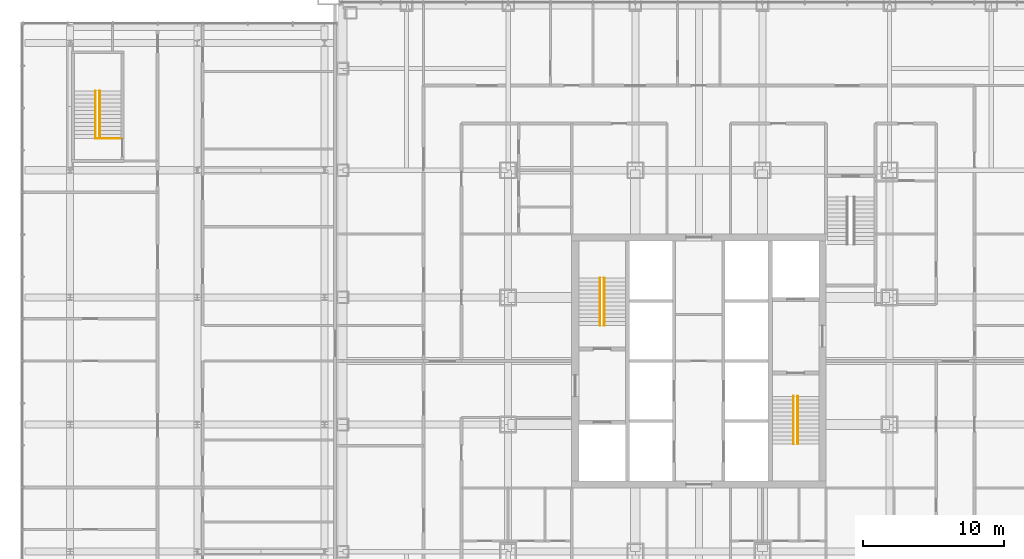
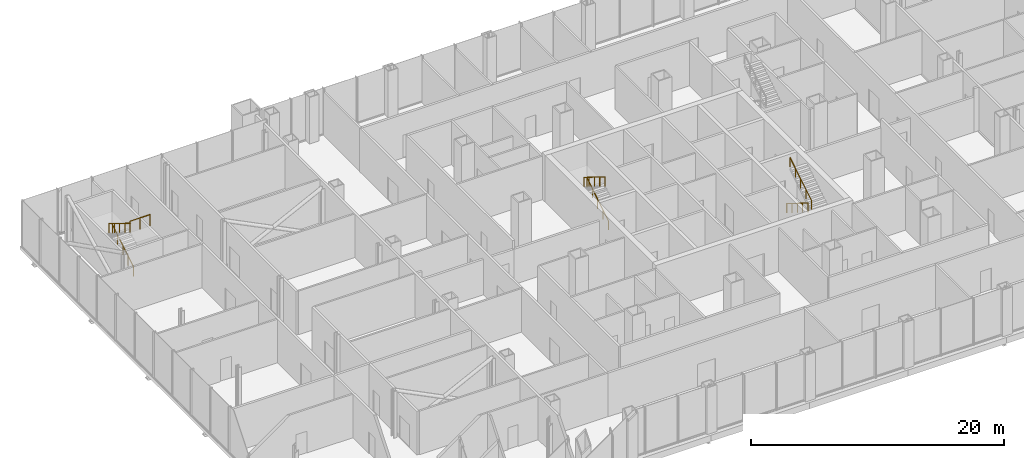
# One storey, part 22 of 25: 7 railings.
"""IFC4 building model written with IfcOpenShell, lengths in metres."""

from ifc_helpers import new_model, si_unit, direction, frame, origin, origin_2d, place, context, subcontext, project, spatial, circle, extrude, material, type_object, element, save


model = new_model("IFC4")

# Units and contexts
model_context = context("Model", 3, precision=1e-05, world=origin(), true_north=direction((0.0, 1.0)))
body_context = subcontext(model_context, "Body", "Model", "MODEL_VIEW")
ifc_project = project(units=[si_unit("LENGTHUNIT", "METRE"), si_unit("AREAUNIT", "SQUARE_METRE"), si_unit("VOLUMEUNIT", "CUBIC_METRE"), si_unit("PLANEANGLEUNIT", "RADIAN"), si_unit("MASSUNIT", "GRAM", prefix="KILO")], contexts=[model_context])

# Site, building, storey
site_placement = place(None, origin())
site = spatial("IfcSite", under=ifc_project, at=site_placement, CompositionType="ELEMENT")
building_placement = place(site_placement, origin())
building = spatial("IfcBuilding", under=site, at=building_placement, Name="Malebo Sky Hospital", CompositionType="ELEMENT")
storey_placement = place(building_placement, frame((0.0, 0.0, 16.5)))
storey = spatial("IfcBuildingStorey", under=building, at=storey_placement, Name="L03", CompositionType="ELEMENT", Elevation=16.5)

# Railings
ifc_material_1 = material(Name="Stainless steel balustrade", Category="steel")
railing_type_1 = type_object("IfcRailingType", Name="STAIR GUARD 1100", PredefinedType="GUARDRAIL", material=ifc_material_1)
railing_1_placement = place(storey_placement, frame((19.10009765625, 77.75, 4.5)))
element("IfcRailing", 1, at=railing_1_placement, inside=storey, type_object=railing_type_1, Name="Stair guard WS top landing", PredefinedType="GUARDRAIL", context=body_context, shape_type="SweptSolid", body=[
    extrude(circle(Radius=0.02392578125, at=origin_2d()), frame((0.0, 0.0, 1.076171875), z_axis=(-1.0, 0.0, 0.0), x_axis=(0.0, -1.0, 0.0)), (0.0, 0.0, 1.0), 1.800048828125),
    extrude(circle(Radius=0.02099609375, at=origin_2d()), origin(), (0.0, 0.0, 1.0), 1.052001953125),
    extrude(circle(Radius=0.02099609375, at=origin_2d()), frame((-0.89990234375, 0.0, 0.0)), (0.0, 0.0, 1.0), 1.052001953125),
    extrude(circle(Radius=0.02099609375, at=origin_2d()), frame((-1.800048828125, 0.0, 0.0)), (0.0, 0.0, 1.0), 1.052001953125),
])
ifc_material_2 = material(Name="Stainless steel tube", Category="steel")
railing_type_2 = type_object("IfcRailingType", Name="STAIR HANDRAIL 900", PredefinedType="HANDRAIL", material=ifc_material_2)
railing_2_placement = place(storey_placement, frame((53.300048828125, 64.5, 0.173095703125)))
element("IfcRailing", 2, at=railing_2_placement, inside=storey, type_object=railing_type_2, Name="Stair handrail S1 flight 1", PredefinedType="HANDRAIL", context=body_context, shape_type="SweptSolid", body=[
    extrude(circle(Radius=0.02392578125, at=origin_2d()), frame((0.0, 0.0, 0.8759765625), z_axis=(0.0, 0.850623216509, 0.525775754039), x_axis=(-1.0, 0.0, 0.0)), (0.0, 0.0, 1.0), 3.9501953125),
    extrude(circle(Radius=0.02099609375, at=origin_2d()), origin(), (0.0, 0.0, 1.0), 0.851806640625),
    extrude(circle(Radius=0.02099609375, at=origin_2d()), frame((0.0, 0.840087890625, 0.519287109375)), (0.0, 0.0, 1.0), 0.851806640625),
    extrude(circle(Radius=0.02099609375, at=origin_2d()), frame((0.0, 1.68017578125, 1.03857421875)), (0.0, 0.0, 1.0), 0.851806640625),
    extrude(circle(Radius=0.02099609375, at=origin_2d()), frame((0.0, 2.52001953125, 1.5576171875)), (0.0, 0.0, 1.0), 0.851806640625),
    extrude(circle(Radius=0.02099609375, at=origin_2d()), frame((0.0, 3.360107421875, 2.076904296875)), (0.0, 0.0, 1.0), 0.851806640625),
])
for number, where, name in (
    (3, (53.0, 67.860107421875, 2.423095703125), "Stair handrail S1 flight 2"),
    (4, (66.699951171875, 59.5, 0.173095703125), "Stair handrail S2 flight 1"),
):
    element("IfcRailing", number, at=place(storey_placement, frame(where)), inside=storey, type_object=railing_type_2, Name=name, PredefinedType="HANDRAIL", context=body_context, shape_type="SweptSolid", body=[
        extrude(circle(Radius=0.02392578125, at=origin_2d()), frame((0.0, 0.0, 0.8759765625), z_axis=(0.0, -0.850623216509, 0.525775754039), x_axis=(1.0, 0.0, 0.0)), (0.0, 0.0, 1.0), 3.9501953125),
        extrude(circle(Radius=0.02099609375, at=origin_2d()), origin(), (0.0, 0.0, 1.0), 0.851806640625),
        extrude(circle(Radius=0.02099609375, at=origin_2d()), frame((0.0, -0.840087890625, 0.519287109375)), (0.0, 0.0, 1.0), 0.851806640625),
        extrude(circle(Radius=0.02099609375, at=origin_2d()), frame((0.0, -1.68017578125, 1.03857421875)), (0.0, 0.0, 1.0), 0.851806640625),
        extrude(circle(Radius=0.02099609375, at=origin_2d()), frame((0.0, -2.52001953125, 1.5576171875)), (0.0, 0.0, 1.0), 0.851806640625),
        extrude(circle(Radius=0.02099609375, at=origin_2d()), frame((0.0, -3.360107421875, 2.076904296875)), (0.0, 0.0, 1.0), 0.851806640625),
    ])
for number, where, name in (
    (5, (67.0, 56.139892578125, 2.423095703125), "Stair handrail S2 flight 2"),
    (6, (17.60009765625, 77.75, 0.173095703125), "Stair handrail WS flight 1"),
):
    element("IfcRailing", number, at=place(storey_placement, frame(where)), inside=storey, type_object=railing_type_2, Name=name, PredefinedType="HANDRAIL", context=body_context, shape_type="SweptSolid", body=[
        extrude(circle(Radius=0.02392578125, at=origin_2d()), frame((0.0, 0.0, 0.8759765625), z_axis=(0.0, 0.850623216509, 0.525775754039), x_axis=(-1.0, 0.0, 0.0)), (0.0, 0.0, 1.0), 3.9501953125),
        extrude(circle(Radius=0.02099609375, at=origin_2d()), origin(), (0.0, 0.0, 1.0), 0.851806640625),
        extrude(circle(Radius=0.02099609375, at=origin_2d()), frame((0.0, 0.840087890625, 0.519287109375)), (0.0, 0.0, 1.0), 0.851806640625),
        extrude(circle(Radius=0.02099609375, at=origin_2d()), frame((0.0, 1.68017578125, 1.03857421875)), (0.0, 0.0, 1.0), 0.851806640625),
        extrude(circle(Radius=0.02099609375, at=origin_2d()), frame((0.0, 2.52001953125, 1.5576171875)), (0.0, 0.0, 1.0), 0.851806640625),
        extrude(circle(Radius=0.02099609375, at=origin_2d()), frame((0.0, 3.360107421875, 2.076904296875)), (0.0, 0.0, 1.0), 0.851806640625),
    ])
railing_3_placement = place(storey_placement, frame((17.300048828125, 81.110107421875, 2.423095703125)))
element("IfcRailing", 7, at=railing_3_placement, inside=storey, type_object=railing_type_2, Name="Stair handrail WS flight 2", PredefinedType="HANDRAIL", context=body_context, shape_type="SweptSolid", body=[
    extrude(circle(Radius=0.02392578125, at=origin_2d()), frame((0.0, 0.0, 0.8759765625), z_axis=(0.0, -0.850623216509, 0.525775754039), x_axis=(1.0, 0.0, 0.0)), (0.0, 0.0, 1.0), 3.9501953125),
    extrude(circle(Radius=0.02099609375, at=origin_2d()), origin(), (0.0, 0.0, 1.0), 0.851806640625),
    extrude(circle(Radius=0.02099609375, at=origin_2d()), frame((0.0, -0.840087890625, 0.519287109375)), (0.0, 0.0, 1.0), 0.851806640625),
    extrude(circle(Radius=0.02099609375, at=origin_2d()), frame((0.0, -1.68017578125, 1.03857421875)), (0.0, 0.0, 1.0), 0.851806640625),
    extrude(circle(Radius=0.02099609375, at=origin_2d()), frame((0.0, -2.52001953125, 1.5576171875)), (0.0, 0.0, 1.0), 0.851806640625),
    extrude(circle(Radius=0.02099609375, at=origin_2d()), frame((0.0, -3.360107421875, 2.076904296875)), (0.0, 0.0, 1.0), 0.851806640625),
])

save(model, "model.ifc")
